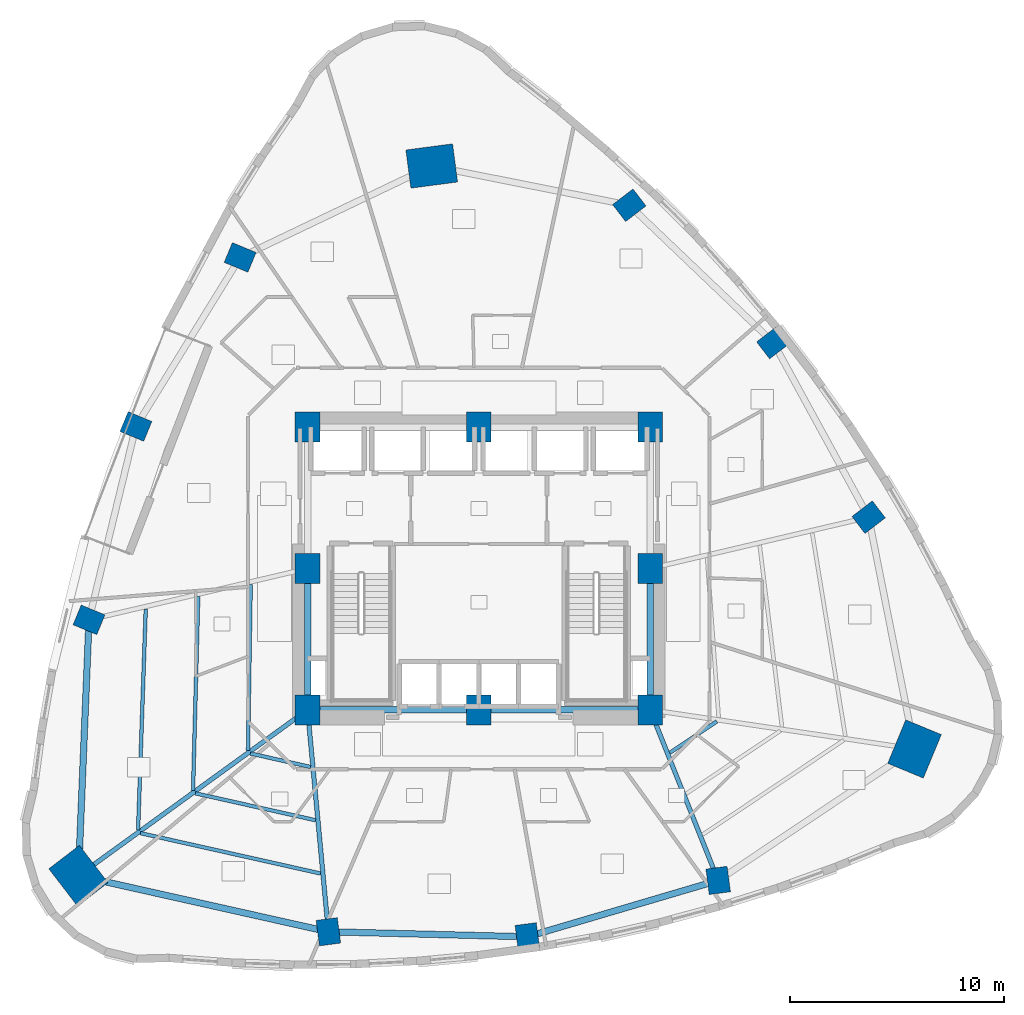
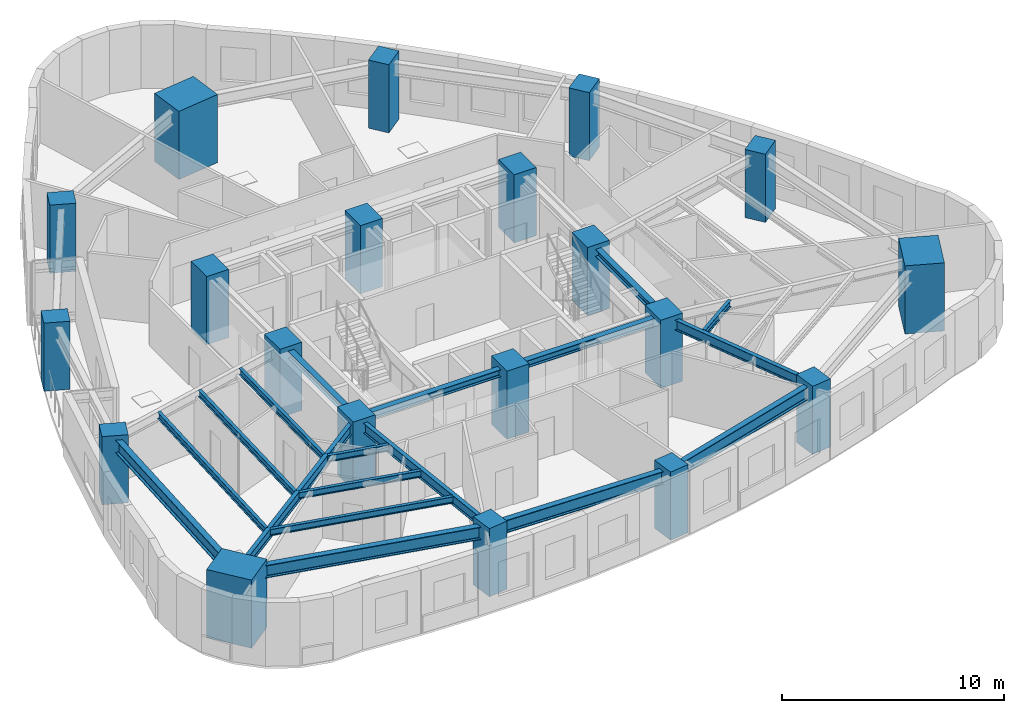
# One storey, part 1 of 12: 20 columns, 18 beams.
"""IFC4 building model written with IfcOpenShell, lengths in metres."""

from ifc_helpers import new_model, si_unit, direction, frame, origin, origin_2d, place, context, subcontext, project, spatial, rectangle, i_section, extrude, material, material_profile, profile_set, type_object, element, save


model = new_model("IFC4")

# Units and contexts
model_context = context("Model", 3, precision=1e-05, world=origin(), true_north=direction((0.0, 1.0)))
body_context = subcontext(model_context, "Body", "Model", "MODEL_VIEW")
ifc_project = project(units=[si_unit("LENGTHUNIT", "METRE"), si_unit("AREAUNIT", "SQUARE_METRE"), si_unit("VOLUMEUNIT", "CUBIC_METRE"), si_unit("PLANEANGLEUNIT", "RADIAN"), si_unit("MASSUNIT", "GRAM", prefix="KILO")], contexts=[model_context])

# Site, building, storey
site_placement = place(None, origin())
site = spatial("IfcSite", under=ifc_project, at=site_placement, CompositionType="ELEMENT")
building_placement = place(site_placement, origin())
building = spatial("IfcBuilding", under=site, at=building_placement, Name="Ndelora Gate Hotel", CompositionType="ELEMENT")
storey_placement = place(building_placement, frame((0.0, 0.0, 60.5)))
storey = spatial("IfcBuildingStorey", under=building, at=storey_placement, Name="L14", CompositionType="ELEMENT", Elevation=60.5)

# Columns
ifc_material_1 = material(Name="Concrete C60/75", Category="concrete")
ifc_material_profile_1 = material_profile(ifc_material_1, rectangle(XDim=1.14990234375, YDim=1.39990234375, at=origin_2d()), Name="RC 1400x1150")
ifc_profile_set_1 = profile_set([ifc_material_profile_1], Name="Concrete C60/75")
column_type_1 = type_object("IfcColumnType", Name="COL-CC-LOW", PredefinedType="COLUMN", material=ifc_profile_set_1)
for number, where, z_axis, x_axis, name in (
    (1, (-8.0, -6.60009765625, 0.0), (0.0, 0.0, 1.0), (1.0, 0.0, 0.0), "L14 Core Column CC1"),
    (2, (0.0, -6.60009765625, 0.0), (0.0, 0.0, 1.0), (1.0, 0.0, 0.0), "L14 Core Column CC2"),
    (3, (8.0, -6.60009765625, 0.0), (0.0, 0.0, 1.0), (1.0, 0.0, 0.0), "L14 Core Column CC3"),
    (4, (8.0, 0.0, 0.0), (0.0, 0.0, 1.0), (1.0, 0.0, 0.0), "L14 Core Column CC4"),
    (5, (8.0, 6.60009765625, 0.0), (0.0, 0.0, 1.0), (1.0, 0.0, 0.0), "L14 Core Column CC5"),
    (6, (0.0, 6.60009765625, 0.0), (0.0, 0.0, 1.0), (1.0, 0.0, 0.0), "L14 Core Column CC6"),
    (7, (-8.0, 6.60009765625, 0.0), (0.0, 0.0, 1.0), (1.0, 0.0, 0.0), "L14 Core Column CC7"),
    (8, (-8.0, 0.0, 0.0), (0.0, 0.0, 1.0), (1.0, 0.0, 0.0), "L14 Core Column CC8"),
):
    element("IfcColumn", number, at=place(storey_placement, frame(where, z_axis=z_axis, x_axis=x_axis)), inside=storey, type_object=column_type_1, Name=name, PredefinedType="COLUMN", context=body_context, shape_type="SweptSolid", body=[
        extrude(rectangle(XDim=1.14990234375, YDim=1.39990234375, at=origin_2d()), origin(), (0.0, 0.0, 1.0), 3.75),
    ])
ifc_material_profile_2 = material_profile(ifc_material_1, rectangle(XDim=1.800048828125, YDim=2.199951171875, at=origin_2d()), Name="RC 2200x1800")
ifc_profile_set_2 = profile_set([ifc_material_profile_2], Name="Concrete C60/75")
column_type_2 = type_object("IfcColumnType", Name="COL-MC-Z1", PredefinedType="COLUMN", material=ifc_profile_set_2)
for number, where, z_axis, x_axis, name in (
    (9, (-2.199951171875, 18.800048828125, 0.0), (0.0, 0.0, 1.0), (-0.13052619222, 0.991444861374, 0.0), "L14 Corner Mega-Column R1"),
    (10, (-18.701904296875, -14.3505859375, 0.0), (0.0, 0.0, 1.0), (0.793353340291, 0.608761429009, 0.0), "L14 Corner Mega-Column R5"),
    (11, (20.35009765625, -8.42919921875, 0.0), (0.0, 0.0, 1.0), (-0.923879532511, 0.382683432365, 0.0), "L14 Corner Mega-Column R9"),
):
    element("IfcColumn", number, at=place(storey_placement, frame(where, z_axis=z_axis, x_axis=x_axis)), inside=storey, type_object=column_type_2, Name=name, PredefinedType="COLUMN", context=body_context, shape_type="SweptSolid", body=[
        extrude(rectangle(XDim=1.800048828125, YDim=2.199951171875, at=origin_2d()), origin(), (0.0, 0.0, 1.0), 3.75),
    ])
ifc_material_profile_3 = material_profile(ifc_material_1, rectangle(XDim=1.0, YDim=1.199951171875, at=origin_2d()), Name="RC 1200x1000")
ifc_profile_set_3 = profile_set([ifc_material_profile_3], Name="Concrete C60/75")
column_type_3 = type_object("IfcColumnType", Name="COL-PT-Z1", PredefinedType="COLUMN", material=ifc_profile_set_3)
for number, where, z_axis, x_axis, name in (
    (12, (-11.1484375, 14.529052734375, 0.0), (0.0, 0.0, 1.0), (0.382683432365, 0.923879532511, 0.0), "L14 Perimeter Tube Column R2"),
    (13, (-16.016845703125, 6.634521484375, 0.0), (0.0, 0.0, 1.0), (0.382683432365, 0.923879532511, 0.0), "L14 Perimeter Tube Column R3"),
    (14, (-18.207275390625, -2.39697265625, 0.0), (0.0, 0.0, 1.0), (0.382683432365, 0.923879532511, 0.0), "L14 Perimeter Tube Column R4"),
    (15, (-7.027587890625, -16.96630859375, 0.0), (0.0, 0.0, 1.0), (0.991444861374, 0.13052619222, 0.0), "L14 Perimeter Tube Column R6"),
    (16, (2.2646484375, -17.20166015625, 0.0), (0.0, 0.0, 1.0), (0.991444861374, 0.13052619222, 0.0), "L14 Perimeter Tube Column R7"),
    (17, (11.179443359375, -14.5693359375, 0.0), (0.0, 0.0, 1.0), (0.991444861374, 0.13052619222, 0.0), "L14 Perimeter Tube Column R8"),
    (18, (18.207275390625, 2.39697265625, 0.0), (0.0, 0.0, 1.0), (-0.608761429009, 0.793353340291, 0.0), "L14 Perimeter Tube Column R10"),
    (19, (13.75390625, 10.5537109375, 0.0), (0.0, 0.0, 1.0), (-0.608761429009, 0.793353340291, 0.0), "L14 Perimeter Tube Column R11"),
    (20, (7.027587890625, 16.96630859375, 0.0), (0.0, 0.0, 1.0), (-0.608761429009, 0.793353340291, 0.0), "L14 Perimeter Tube Column R12"),
):
    element("IfcColumn", number, at=place(storey_placement, frame(where, z_axis=z_axis, x_axis=x_axis)), inside=storey, type_object=column_type_3, Name=name, PredefinedType="COLUMN", context=body_context, shape_type="SweptSolid", body=[
        extrude(rectangle(XDim=1.0, YDim=1.199951171875, at=origin_2d()), origin(), (0.0, 0.0, 1.0), 3.75),
    ])

# Beams
ifc_material_2 = material(Name="Steel S355", Category="steel")
ifc_material_profile_4 = material_profile(ifc_material_2, i_section(OverallWidth=0.300048828125, OverallDepth=0.39990234375, WebThickness=0.013427734375, FlangeThickness=0.02392578125, FilletRadius=0.027099609375, at=origin_2d()), Name="HEB 400")
ifc_profile_set_4 = profile_set([ifc_material_profile_4], Name="Steel S355")
beam_type_1 = type_object("IfcBeamType", Name="BM-CORE-400", PredefinedType="BEAM", material=ifc_profile_set_4)
for number, where, z_axis, x_axis, name in (
    (21, (-8.0, -6.60009765625, 3.300048828125), (0.0, 1.0, 0.0), (-1.0, 0.0, 0.0), "L14 Core Tie Girder CC1-CC8"),
    (22, (8.0, -6.60009765625, 3.300048828125), (0.0, 1.0, 0.0), (-1.0, 0.0, 0.0), "L14 Core Tie Girder CC3-CC4"),
):
    element("IfcBeam", number, at=place(storey_placement, frame(where, z_axis=z_axis, x_axis=x_axis)), inside=storey, type_object=beam_type_1, Name=name, PredefinedType="BEAM", context=body_context, shape_type="SweptSolid", body=[
        extrude(i_section(OverallWidth=0.300048828125, OverallDepth=0.39990234375, WebThickness=0.013427734375, FlangeThickness=0.02392578125, FilletRadius=0.027099609375, at=origin_2d()), origin(), (0.0, 0.0, 1.0), 6.60009765625),
    ])
for number, where, z_axis, x_axis, name in (
    (23, (-8.0, -6.60009765625, 3.300048828125), (1.0, 0.0, 0.0), (0.0, 1.0, 0.0), "L14 Core Tie Girder CC1-CC2"),
    (24, (0.0, -6.60009765625, 3.300048828125), (1.0, 0.0, 0.0), (0.0, 1.0, 0.0), "L14 Core Tie Girder CC2-CC3"),
):
    element("IfcBeam", number, at=place(storey_placement, frame(where, z_axis=z_axis, x_axis=x_axis)), inside=storey, type_object=beam_type_1, Name=name, PredefinedType="BEAM", context=body_context, shape_type="SweptSolid", body=[
        extrude(i_section(OverallWidth=0.300048828125, OverallDepth=0.39990234375, WebThickness=0.013427734375, FlangeThickness=0.02392578125, FilletRadius=0.027099609375, at=origin_2d()), origin(), (0.0, 0.0, 1.0), 8.0),
    ])
ifc_material_profile_5 = material_profile(ifc_material_2, i_section(OverallWidth=0.169921875, OverallDepth=0.360107421875, WebThickness=0.008056640625, FlangeThickness=0.0126953125, FilletRadius=0.01806640625, at=origin_2d()), Name="IPE 360")
ifc_profile_set_5 = profile_set([ifc_material_profile_5], Name="Steel S355")
beam_type_2 = type_object("IfcBeamType", Name="BM-JST-360", PredefinedType="JOIST", material=ifc_profile_set_5)
beam_1_placement = place(storey_placement, frame((-10.65576171875, -0.73828125, 3.320068359375), z_axis=(-0.016071150123, -0.999870850727, 0.0), x_axis=(0.999870850727, -0.016071150123, 0.0)))
element("IfcBeam", 25, at=beam_1_placement, inside=storey, type_object=beam_type_2, Name="L14 Secondary Composite Floor Joist IN-4", PredefinedType="JOIST", context=body_context, shape_type="SweptSolid", body=[
    extrude(i_section(OverallWidth=0.169921875, OverallDepth=0.360107421875, WebThickness=0.008056640625, FlangeThickness=0.0126953125, FilletRadius=0.01806640625, at=origin_2d()), origin(), (0.0, 0.0, 1.0), 7.7626953125),
])
beam_2_placement = place(storey_placement, frame((-13.106689453125, -1.3134765625, 3.320068359375), z_axis=(-0.02665287705, -0.999644748971, 0.0), x_axis=(0.999644748971, -0.02665287705, 0.0)))
element("IfcBeam", 26, at=beam_2_placement, inside=storey, type_object=beam_type_2, Name="L14 Secondary Composite Floor Joist MID-4", PredefinedType="JOIST", context=body_context, shape_type="SweptSolid", body=[
    extrude(i_section(OverallWidth=0.169921875, OverallDepth=0.360107421875, WebThickness=0.008056640625, FlangeThickness=0.0126953125, FilletRadius=0.01806640625, at=origin_2d()), origin(), (0.0, 0.0, 1.0), 9.050048828125),
])
beam_3_placement = place(storey_placement, frame((-15.557373046875, -1.888671875, 3.320068359375), z_axis=(-0.034620883261, -0.999400517532, 0.0), x_axis=(0.999400517532, -0.034620883261, 0.0)))
element("IfcBeam", 27, at=beam_3_placement, inside=storey, type_object=beam_type_2, Name="L14 Secondary Composite Floor Joist OUT-4", PredefinedType="JOIST", context=body_context, shape_type="SweptSolid", body=[
    extrude(i_section(OverallWidth=0.169921875, OverallDepth=0.360107421875, WebThickness=0.008056640625, FlangeThickness=0.0126953125, FilletRadius=0.01806640625, at=origin_2d()), origin(), (0.0, 0.0, 1.0), 10.337890625),
])
beam_4_placement = place(storey_placement, frame((-10.67041015625, -8.640380859375, 3.320068359375), z_axis=(0.975820751938, -0.218572322325, 0.0), x_axis=(0.218572322325, 0.975820751938, 0.0)))
element("IfcBeam", 28, at=beam_4_placement, inside=storey, type_object=beam_type_2, Name="L14 Secondary Composite Floor Joist IN-5", PredefinedType="JOIST", context=body_context, shape_type="SweptSolid", body=[
    extrude(i_section(OverallWidth=0.169921875, OverallDepth=0.360107421875, WebThickness=0.008056640625, FlangeThickness=0.0126953125, FilletRadius=0.01806640625, at=origin_2d()), origin(), (0.0, 0.0, 1.0), 2.880615234375),
])
beam_5_placement = place(storey_placement, frame((-13.23876953125, -10.50048828125, 3.320068359375), z_axis=(0.975805037012, -0.218642470123, 0.0), x_axis=(0.218642470123, 0.975805037012, 0.0)))
element("IfcBeam", 29, at=beam_5_placement, inside=storey, type_object=beam_type_2, Name="L14 Secondary Composite Floor Joist MID-5", PredefinedType="JOIST", context=body_context, shape_type="SweptSolid", body=[
    extrude(i_section(OverallWidth=0.169921875, OverallDepth=0.360107421875, WebThickness=0.008056640625, FlangeThickness=0.0126953125, FilletRadius=0.01806640625, at=origin_2d()), origin(), (0.0, 0.0, 1.0), 5.751708984375),
])
beam_6_placement = place(storey_placement, frame((-15.80712890625, -12.360595703125, 3.320068359375), z_axis=(0.975802493229, -0.218653822759, 0.0), x_axis=(0.218653822759, 0.975802493229, 0.0)))
element("IfcBeam", 30, at=beam_6_placement, inside=storey, type_object=beam_type_2, Name="L14 Secondary Composite Floor Joist OUT-5", PredefinedType="JOIST", context=body_context, shape_type="SweptSolid", body=[
    extrude(i_section(OverallWidth=0.169921875, OverallDepth=0.360107421875, WebThickness=0.008056640625, FlangeThickness=0.0126953125, FilletRadius=0.01806640625, at=origin_2d()), origin(), (0.0, 0.0, 1.0), 8.623291015625),
])
beam_7_placement = place(storey_placement, frame((8.922119140625, -8.608154296875, 3.320068359375), z_axis=(0.830952990267, 0.556342635402, 0.0), x_axis=(-0.556342635402, 0.830952990267, 0.0)))
element("IfcBeam", 31, at=beam_7_placement, inside=storey, type_object=beam_type_2, Name="L14 Secondary Composite Floor Joist IN-8", PredefinedType="JOIST", context=body_context, shape_type="SweptSolid", body=[
    extrude(i_section(OverallWidth=0.169921875, OverallDepth=0.360107421875, WebThickness=0.008056640625, FlangeThickness=0.0126953125, FilletRadius=0.01806640625, at=origin_2d()), origin(), (0.0, 0.0, 1.0), 2.6396484375),
])
ifc_material_profile_6 = material_profile(ifc_material_2, i_section(OverallWidth=0.2099609375, OverallDepth=0.550048828125, WebThickness=0.010986328125, FlangeThickness=0.01708984375, FilletRadius=0.02392578125, at=origin_2d()), Name="IPE 550")
ifc_profile_set_6 = profile_set([ifc_material_profile_6], Name="Steel S355")
beam_type_3 = type_object("IfcBeamType", Name="BM-RAD-550", PredefinedType="BEAM", material=ifc_profile_set_6)
beam_8_placement = place(storey_placement, frame((-8.0, -6.60009765625, 3.22509765625), z_axis=(-0.809912157619, -0.586551188679, 0.0), x_axis=(0.586551188679, -0.809912157619, 0.0)))
element("IfcBeam", 32, at=beam_8_placement, inside=storey, type_object=beam_type_3, Name="L14 Radial Floor Girder 5", PredefinedType="BEAM", context=body_context, shape_type="SweptSolid", body=[
    extrude(i_section(OverallWidth=0.2099609375, OverallDepth=0.550048828125, WebThickness=0.010986328125, FlangeThickness=0.01708984375, FilletRadius=0.02392578125, at=origin_2d()), origin(), (0.0, 0.0, 1.0), 13.213623046875),
])
beam_9_placement = place(storey_placement, frame((-8.0, -6.60009765625, 3.22509765625), z_axis=(0.093395913855, -0.995629049031, 0.0), x_axis=(0.995629049031, 0.093395913855, 0.0)))
element("IfcBeam", 33, at=beam_9_placement, inside=storey, type_object=beam_type_3, Name="L14 Radial Floor Girder 6", PredefinedType="BEAM", context=body_context, shape_type="SweptSolid", body=[
    extrude(i_section(OverallWidth=0.2099609375, OverallDepth=0.550048828125, WebThickness=0.010986328125, FlangeThickness=0.01708984375, FilletRadius=0.02392578125, at=origin_2d()), origin(), (0.0, 0.0, 1.0), 10.41162109375),
])
beam_10_placement = place(storey_placement, frame((8.0, -6.60009765625, 3.22509765625), z_axis=(0.37056142644, -0.92880796144, 0.0), x_axis=(0.92880796144, 0.37056142644, 0.0)))
element("IfcBeam", 34, at=beam_10_placement, inside=storey, type_object=beam_type_3, Name="L14 Radial Floor Girder 8", PredefinedType="BEAM", context=body_context, shape_type="SweptSolid", body=[
    extrude(i_section(OverallWidth=0.2099609375, OverallDepth=0.550048828125, WebThickness=0.010986328125, FlangeThickness=0.01708984375, FilletRadius=0.02392578125, at=origin_2d()), origin(), (0.0, 0.0, 1.0), 8.580078125),
])
ifc_material_profile_7 = material_profile(ifc_material_2, i_section(OverallWidth=0.300048828125, OverallDepth=0.699951171875, WebThickness=0.01708984375, FlangeThickness=0.031982421875, FilletRadius=0.027099609375, at=origin_2d()), Name="HEB 700")
ifc_profile_set_7 = profile_set([ifc_material_profile_7], Name="Steel S355")
beam_type_4 = type_object("IfcBeamType", Name="BM-RING-700", PredefinedType="SPANDREL", material=ifc_profile_set_7)
for number, where, z_axis, x_axis, name in (
    (35, (-18.207275390625, -2.39697265625, 3.14990234375), (-0.041343648978, -0.99914498582, 0.0), (0.99914498582, -0.041343648978, 0.0), "L14 Perimeter Spandrel Girder 4"),
    (36, (-18.701904296875, -14.3505859375, 3.14990234375), (0.97580624377, -0.218637084273, 0.0), (0.218637084273, 0.97580624377, 0.0), "L14 Perimeter Spandrel Girder 5"),
):
    element("IfcBeam", number, at=place(storey_placement, frame(where, z_axis=z_axis, x_axis=x_axis)), inside=storey, type_object=beam_type_4, Name=name, PredefinedType="SPANDREL", context=body_context, shape_type="SweptSolid", body=[
        extrude(i_section(OverallWidth=0.300048828125, OverallDepth=0.699951171875, WebThickness=0.01708984375, FlangeThickness=0.031982421875, FilletRadius=0.027099609375, at=origin_2d()), origin(), (0.0, 0.0, 1.0), 11.9638671875),
    ])
beam_11_placement = place(storey_placement, frame((-7.027587890625, -16.96630859375, 3.14990234375), z_axis=(0.999679406439, -0.025319643409, 0.0), x_axis=(0.025319643409, 0.999679406439, 0.0)))
element("IfcBeam", 37, at=beam_11_placement, inside=storey, type_object=beam_type_4, Name="L14 Perimeter Spandrel Girder 6", PredefinedType="SPANDREL", context=body_context, shape_type="SweptSolid", body=[
    extrude(i_section(OverallWidth=0.300048828125, OverallDepth=0.699951171875, WebThickness=0.01708984375, FlangeThickness=0.031982421875, FilletRadius=0.027099609375, at=origin_2d()), origin(), (0.0, 0.0, 1.0), 9.295166015625),
])
beam_12_placement = place(storey_placement, frame((2.2646484375, -17.20166015625, 3.14990234375), z_axis=(0.959064248316, 0.283188572514, 0.0), x_axis=(-0.283188572514, 0.959064248316, 0.0)))
element("IfcBeam", 38, at=beam_12_placement, inside=storey, type_object=beam_type_4, Name="L14 Perimeter Spandrel Girder 7", PredefinedType="SPANDREL", context=body_context, shape_type="SweptSolid", body=[
    extrude(i_section(OverallWidth=0.300048828125, OverallDepth=0.699951171875, WebThickness=0.01708984375, FlangeThickness=0.031982421875, FilletRadius=0.027099609375, at=origin_2d()), origin(), (0.0, 0.0, 1.0), 9.29541015625),
])

save(model, "model.ifc")
